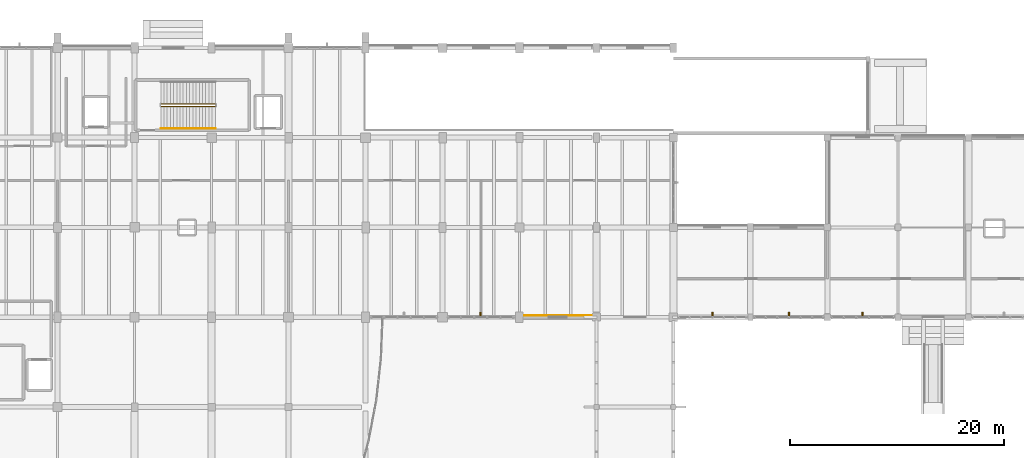
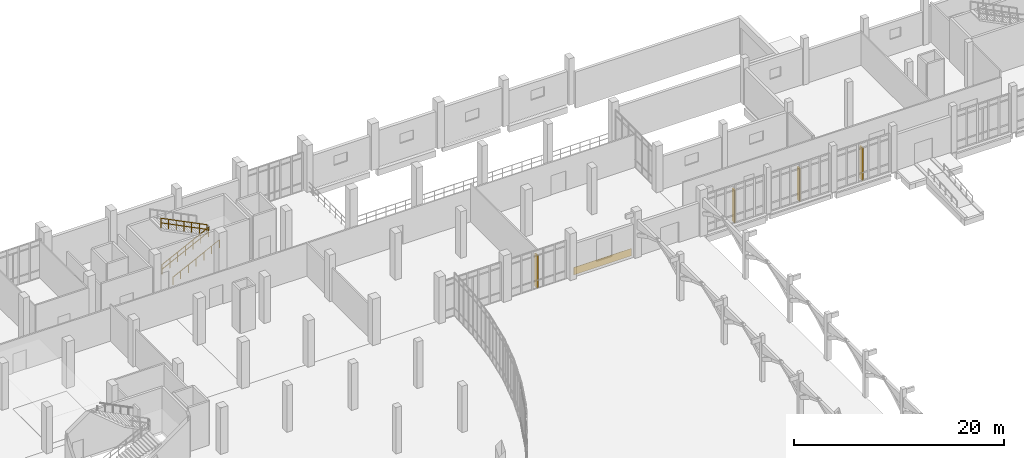
# One storey, part 106 of 110: 4 shading devices, 3 railings, 1 covering.
"""IFC4 building model written with IfcOpenShell, lengths in metres."""

from ifc_helpers import new_model, si_unit, direction, frame, origin, origin_2d, place, context, subcontext, project, spatial, rectangle, circle, extrude, material, layer, layer_set, type_object, element, save


model = new_model("IFC4")

# Units and contexts
model_context = context("Model", 3, precision=1e-05, world=origin(), true_north=direction((0.0, 1.0)))
body_context = subcontext(model_context, "Body", "Model", "MODEL_VIEW")
ifc_project = project(units=[si_unit("LENGTHUNIT", "METRE"), si_unit("AREAUNIT", "SQUARE_METRE"), si_unit("VOLUMEUNIT", "CUBIC_METRE"), si_unit("PLANEANGLEUNIT", "RADIAN"), si_unit("MASSUNIT", "GRAM", prefix="KILO")], contexts=[model_context])

# Site, building, storey
site_placement = place(None, origin())
site = spatial("IfcSite", under=ifc_project, at=site_placement, CompositionType="ELEMENT")
building_placement = place(site_placement, origin())
building = spatial("IfcBuilding", under=site, at=building_placement, Name="Kalluvel Institute of Natural Sciences", CompositionType="ELEMENT")
storey_placement = place(building_placement, origin())
storey = spatial("IfcBuildingStorey", under=building, at=storey_placement, Name="L00", CompositionType="ELEMENT", Elevation=0.0)

# Covering
ifc_material_1 = material(Name="Sadarahalli Grey Granite Ashlar Concrete M40", Category="masonry")
ifc_layer = layer(ifc_material_1, 0.044921875)
ifc_layer_set = layer_set([ifc_layer], Name="Sadarahalli Grey Granite Ashlar Concrete M40")
covering_type = type_object("IfcCoveringType", Name="COV-CLAD-STONE", PredefinedType="CLADDING", material=ifc_layer_set)
covering_placement = place(storey_placement, frame((103.987548828125, 102.969970703125, 0.02490234375), z_axis=(0.0, 0.0, 1.0), x_axis=(1.0, 0.0, 0.0)))
element("IfcCovering", 1, at=covering_placement, inside=storey, type_object=covering_type, Name="L00 Sadarahalli granite plinth spandrel cladding 10", PredefinedType="CLADDING", context=body_context, shape_type="SweptSolid", body=[
    extrude(rectangle(XDim=6.31494140625, YDim=0.044921875, at=origin_2d()), origin(), (0.0, 0.0, 1.0), 0.85009765625),
])

# Railings
ifc_material_2 = material(Name="Galvanized Fire-Rated Steel", Category="steel")
railing_type_1 = type_object("IfcRailingType", Name="RL-GD-STAIR", PredefinedType="BALUSTRADE", material=ifc_material_2)
railing_1_placement = place(storey_placement, frame((66.85009765625, 122.510009765625, 0.14990234375)))
element("IfcRailing", 2, at=railing_1_placement, inside=storey, type_object=railing_type_1, Name="L00 ST2 stair guard 1", PredefinedType="BALUSTRADE", context=body_context, shape_type="SweptSolid", body=[
    extrude(circle(Radius=0.02392578125, at=origin_2d()), frame((0.0, 0.0, 1.09619140625), z_axis=(0.894418627299, 0.0, 0.447230722492), x_axis=(0.0, 1.0, 0.0)), (0.0, 0.0, 1.0), 5.701904296875),
    extrude(circle(Radius=0.02392578125, at=origin_2d()), frame((0.0, 0.0, 0.56005859375), z_axis=(0.894418627299, 0.0, 0.447230722492), x_axis=(0.0, 1.0, 0.0)), (0.0, 0.0, 1.0), 5.701904296875),
    extrude(circle(Radius=0.02099609375, at=origin_2d()), origin(), (0.0, 0.0, 1.0), 1.072021484375),
    extrude(circle(Radius=0.02099609375, at=origin_2d()), frame((0.85009765625, 0.0, 0.425048828125)), (0.0, 0.0, 1.0), 1.072021484375),
    extrude(circle(Radius=0.02099609375, at=origin_2d()), frame((1.699951171875, 0.0, 0.85009765625)), (0.0, 0.0, 1.0), 1.072021484375),
    extrude(circle(Radius=0.02099609375, at=origin_2d()), frame((2.5498046875, 0.0, 1.27490234375)), (0.0, 0.0, 1.0), 1.072021484375),
    extrude(circle(Radius=0.02099609375, at=origin_2d()), frame((3.39990234375, 0.0, 1.699951171875)), (0.0, 0.0, 1.0), 1.072021484375),
    extrude(circle(Radius=0.02099609375, at=origin_2d()), frame((4.25, 0.0, 2.125)), (0.0, 0.0, 1.0), 1.072021484375),
    extrude(circle(Radius=0.02099609375, at=origin_2d()), frame((5.099853515625, 0.0, 2.550048828125)), (0.0, 0.0, 1.0), 1.072021484375),
])
railing_2_placement = place(storey_placement, frame((71.949951171875, 122.760009765625, 2.85009765625)))
element("IfcRailing", 3, at=railing_2_placement, inside=storey, type_object=railing_type_1, Name="L00 ST2 stair guard 3", PredefinedType="BALUSTRADE", context=body_context, shape_type="SweptSolid", body=[
    extrude(circle(Radius=0.02392578125, at=origin_2d()), frame((0.0, 0.0, 1.09619140625), z_axis=(-0.894435754537, 0.0, 0.447196468016), x_axis=(0.0, -1.0, 0.0)), (0.0, 0.0, 1.0), 5.70166015625),
    extrude(circle(Radius=0.02392578125, at=origin_2d()), frame((0.0, 0.0, 0.56005859375), z_axis=(-0.894435754537, 0.0, 0.447196468016), x_axis=(0.0, -1.0, 0.0)), (0.0, 0.0, 1.0), 5.70166015625),
    extrude(circle(Radius=0.02099609375, at=origin_2d()), origin(), (0.0, 0.0, 1.0), 1.072021484375),
    extrude(circle(Radius=0.02099609375, at=origin_2d()), frame((-0.85009765625, 0.0, 0.425048828125)), (0.0, 0.0, 1.0), 1.072021484375),
    extrude(circle(Radius=0.02099609375, at=origin_2d()), frame((-1.699951171875, 0.0, 0.849853515625)), (0.0, 0.0, 1.0), 1.072021484375),
    extrude(circle(Radius=0.02099609375, at=origin_2d()), frame((-2.5498046875, 0.0, 1.27490234375)), (0.0, 0.0, 1.0), 1.072021484375),
    extrude(circle(Radius=0.02099609375, at=origin_2d()), frame((-3.39990234375, 0.0, 1.699951171875)), (0.0, 0.0, 1.0), 1.072021484375),
    extrude(circle(Radius=0.02099609375, at=origin_2d()), frame((-4.25, 0.0, 2.124755859375)), (0.0, 0.0, 1.0), 1.072021484375),
    extrude(circle(Radius=0.02099609375, at=origin_2d()), frame((-5.099853515625, 0.0, 2.5498046875)), (0.0, 0.0, 1.0), 1.072021484375),
])
railing_type_2 = type_object("IfcRailingType", Name="RL-HR-STAIR", PredefinedType="HANDRAIL", material=ifc_material_2)
railing_3_placement = place(storey_placement, frame((66.85009765625, 120.449951171875, 0.14990234375)))
element("IfcRailing", 4, at=railing_3_placement, inside=storey, type_object=railing_type_2, Name="L00 ST2 stair handrail 1", PredefinedType="HANDRAIL", context=body_context, shape_type="SweptSolid", body=[
    extrude(circle(Radius=0.02392578125, at=origin_2d()), frame((0.0, 0.0, 0.89599609375), z_axis=(0.894418627299, 0.0, 0.447230722492), x_axis=(0.0, 1.0, 0.0)), (0.0, 0.0, 1.0), 5.701904296875),
    extrude(circle(Radius=0.02099609375, at=origin_2d()), origin(), (0.0, 0.0, 1.0), 0.871826171875),
    extrude(circle(Radius=0.02099609375, at=origin_2d()), frame((0.85009765625, 0.0, 0.425048828125)), (0.0, 0.0, 1.0), 0.871826171875),
    extrude(circle(Radius=0.02099609375, at=origin_2d()), frame((1.699951171875, 0.0, 0.85009765625)), (0.0, 0.0, 1.0), 0.871826171875),
    extrude(circle(Radius=0.02099609375, at=origin_2d()), frame((2.5498046875, 0.0, 1.27490234375)), (0.0, 0.0, 1.0), 0.871826171875),
    extrude(circle(Radius=0.02099609375, at=origin_2d()), frame((3.39990234375, 0.0, 1.699951171875)), (0.0, 0.0, 1.0), 0.871826171875),
    extrude(circle(Radius=0.02099609375, at=origin_2d()), frame((4.25, 0.0, 2.125)), (0.0, 0.0, 1.0), 0.871826171875),
    extrude(circle(Radius=0.02099609375, at=origin_2d()), frame((5.099853515625, 0.0, 2.550048828125)), (0.0, 0.0, 1.0), 0.871826171875),
])

# Shading devices
shading_device_type = type_object("IfcShadingDeviceType", Name="SHD-FIN-STONE", PredefinedType="USERDEFINED", material=ifc_material_1)
for number, where, z_axis, x_axis, name in (
    (5, (96.77490234375, 103.02001953125, 0.0), (0.0, 0.0, 1.0), (1.0, 0.0, 0.0), "L00 monsoon lancet shading fin 5"),
    (6, (118.449951171875, 103.02001953125, 0.0), (0.0, 0.0, 1.0), (1.0, 0.0, 0.0), "L00 monsoon lancet shading fin 241"),
    (7, (125.60009765625, 103.02001953125, 0.0), (0.0, 0.0, 1.0), (1.0, 0.0, 0.0), "L00 monsoon lancet shading fin 242"),
    (8, (132.5, 103.02001953125, 0.0), (0.0, 0.0, 1.0), (1.0, 0.0, 0.0), "L00 monsoon lancet shading fin 243"),
):
    element("IfcShadingDevice", number, at=place(storey_placement, frame(where, z_axis=z_axis, x_axis=x_axis)), inside=storey, type_object=shading_device_type, Name=name, ObjectType="MONSOON FIN", PredefinedType="USERDEFINED", context=body_context, shape_type="SweptSolid", body=[
        extrude(rectangle(XDim=0.139892578125, YDim=0.47998046875, at=origin_2d()), origin(), (0.0, 0.0, 1.0), 3.800048828125),
    ])

save(model, "model.ifc")
